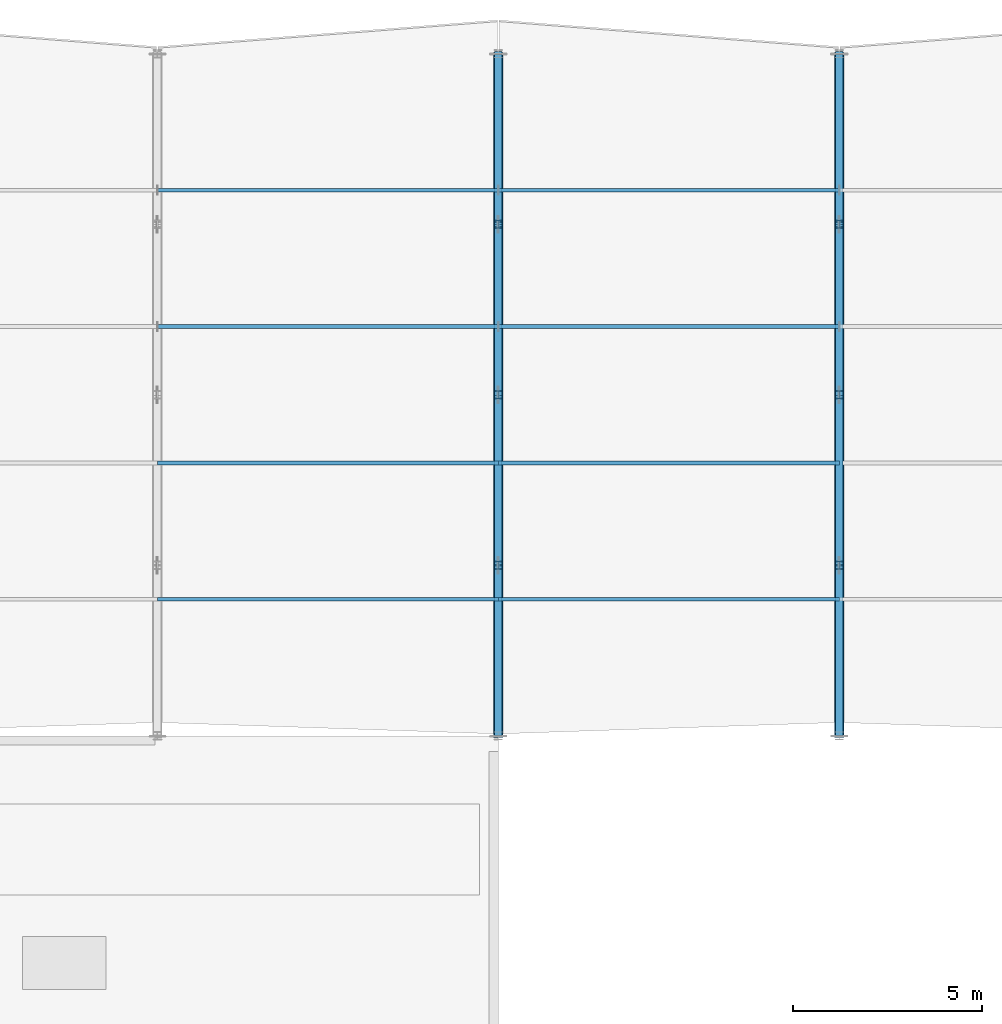
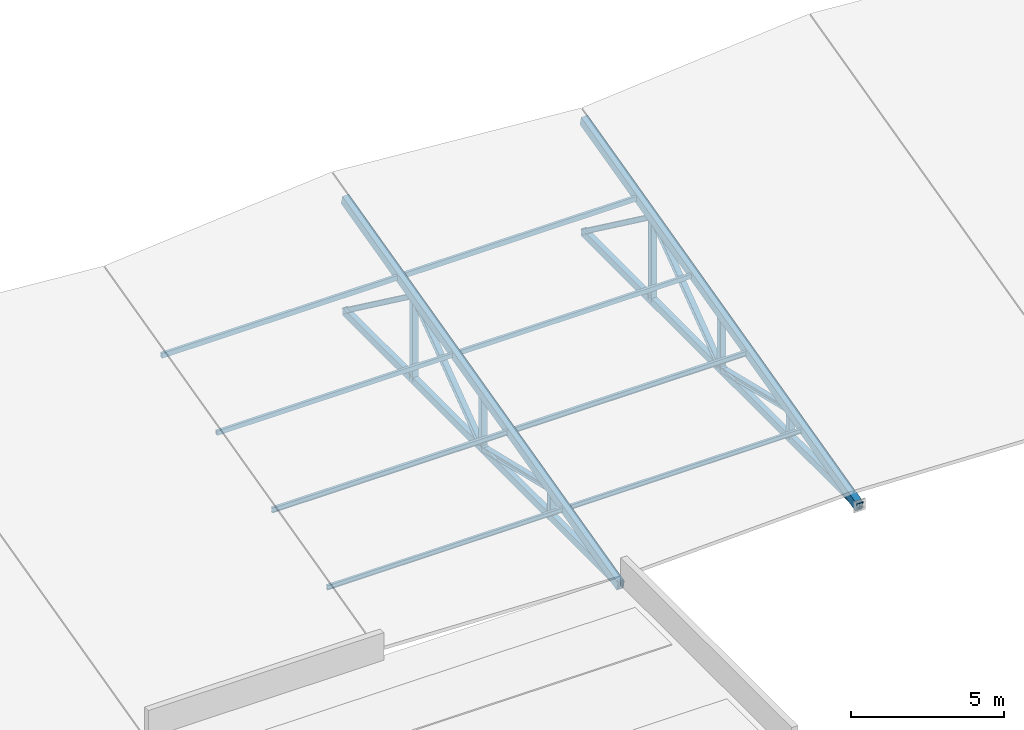
# One storey, part 9 of 36: 26 members.
"""IFC4 building model written with IfcOpenShell, lengths in metres."""

from ifc_helpers import new_model, si_unit, direction, frame, origin, origin_2d, place, context, subcontext, project, spatial, hollow_rectangle, i_section, extrude, material, material_profile, profile_set, type_object, element, save


model = new_model("IFC4")

# Units and contexts
model_context = context("Model", 3, precision=1e-05, world=origin(), true_north=direction((0.0, 1.0)))
body_context = subcontext(model_context, "Body", "Model", "MODEL_VIEW")
ifc_project = project(units=[si_unit("LENGTHUNIT", "METRE"), si_unit("AREAUNIT", "SQUARE_METRE"), si_unit("VOLUMEUNIT", "CUBIC_METRE"), si_unit("PLANEANGLEUNIT", "RADIAN"), si_unit("MASSUNIT", "GRAM", prefix="KILO")], contexts=[model_context])

# Site, building, storey
site_placement = place(None, origin())
site = spatial("IfcSite", under=ifc_project, at=site_placement, CompositionType="ELEMENT")
building_placement = place(site_placement, origin())
building = spatial("IfcBuilding", under=site, at=building_placement, Name="Montelvaro Courts of Justice", CompositionType="ELEMENT")
storey_placement = place(building_placement, frame((0.0, 0.0, 23.39990234375)))
storey = spatial("IfcBuildingStorey", under=building, at=storey_placement, Name="L05", CompositionType="ELEMENT", Elevation=23.39990234375)

# Members
ifc_material = material(Name="Steel S355", Category="steel")
ifc_material_profile_1 = material_profile(ifc_material, i_section(OverallWidth=0.199951171875, OverallDepth=0.18994140625, WebThickness=0.006591796875, FlangeThickness=0.010009765625, at=origin_2d()), Name="HEA 200")
ifc_profile_set_1 = profile_set([ifc_material_profile_1], Name="Steel S355")
member_type_1 = type_object("IfcMemberType", Name="Mem_HEA200_Brace", PredefinedType="BRACE", material=ifc_profile_set_1)
for number, where, z_axis, x_axis, name in (
    (1, (135.0, 78.0, -0.2998046875), (0.0, 0.97263439265, 0.232340995597), (-1.0, 0.0, 0.0), "Roof Truss Web MB-02 ROOF-V2-VTR05-W1"),
    (2, (135.0, 82.5, 0.775146484375), (0.0, 0.97263439265, -0.232340995597), (-1.0, 0.0, 0.0), "Roof Truss Web MB-02 ROOF-V2-VTR05-W2"),
):
    element("IfcMember", number, at=place(storey_placement, frame(where, z_axis=z_axis, x_axis=x_axis)), inside=storey, type_object=member_type_1, Name=name, PredefinedType="BRACE", context=body_context, shape_type="SweptSolid", body=[
        extrude(i_section(OverallWidth=0.199951171875, OverallDepth=0.18994140625, WebThickness=0.006591796875, FlangeThickness=0.010009765625, at=origin_2d()), origin(), (0.0, 0.0, 1.0), 4.626708984375),
    ])
for number, where, z_axis, x_axis, name in (
    (3, (135.0, 87.0, -0.2998046875), (0.0, 0.804273161752, 0.594259775928), (-1.0, 0.0, 0.0), "Roof Truss Web MB-02 ROOF-V2-VTR05-W3"),
    (4, (135.0, 91.5, 3.025146484375), (0.0, 0.804273161752, -0.594259775928), (-1.0, 0.0, 0.0), "Roof Truss Web MB-02 ROOF-V2-VTR05-W4"),
):
    element("IfcMember", number, at=place(storey_placement, frame(where, z_axis=z_axis, x_axis=x_axis)), inside=storey, type_object=member_type_1, Name=name, PredefinedType="BRACE", context=body_context, shape_type="SweptSolid", body=[
        extrude(i_section(OverallWidth=0.199951171875, OverallDepth=0.18994140625, WebThickness=0.006591796875, FlangeThickness=0.010009765625, at=origin_2d()), origin(), (0.0, 0.0, 1.0), 5.59521484375),
    ])
for number, where, z_axis, x_axis, name in (
    (5, (144.0, 78.0, -0.2998046875), (0.0, 0.97263439265, 0.232340995597), (-1.0, 0.0, 0.0), "Roof Truss Web MB-02 ROOF-V2-VTR06-W1"),
    (6, (144.0, 82.5, 0.775146484375), (0.0, 0.97263439265, -0.232340995597), (-1.0, 0.0, 0.0), "Roof Truss Web MB-02 ROOF-V2-VTR06-W2"),
):
    element("IfcMember", number, at=place(storey_placement, frame(where, z_axis=z_axis, x_axis=x_axis)), inside=storey, type_object=member_type_1, Name=name, PredefinedType="BRACE", context=body_context, shape_type="SweptSolid", body=[
        extrude(i_section(OverallWidth=0.199951171875, OverallDepth=0.18994140625, WebThickness=0.006591796875, FlangeThickness=0.010009765625, at=origin_2d()), origin(), (0.0, 0.0, 1.0), 4.626708984375),
    ])
for number, where, z_axis, x_axis, name in (
    (7, (144.0, 87.0, -0.2998046875), (0.0, 0.804273161752, 0.594259775928), (-1.0, 0.0, 0.0), "Roof Truss Web MB-02 ROOF-V2-VTR06-W3"),
    (8, (144.0, 91.5, 3.025146484375), (0.0, 0.804273161752, -0.594259775928), (-1.0, 0.0, 0.0), "Roof Truss Web MB-02 ROOF-V2-VTR06-W4"),
):
    element("IfcMember", number, at=place(storey_placement, frame(where, z_axis=z_axis, x_axis=x_axis)), inside=storey, type_object=member_type_1, Name=name, PredefinedType="BRACE", context=body_context, shape_type="SweptSolid", body=[
        extrude(i_section(OverallWidth=0.199951171875, OverallDepth=0.18994140625, WebThickness=0.006591796875, FlangeThickness=0.010009765625, at=origin_2d()), origin(), (0.0, 0.0, 1.0), 5.59521484375),
    ])
ifc_material_profile_2 = material_profile(ifc_material, i_section(OverallWidth=0.219970703125, OverallDepth=0.2099609375, WebThickness=0.007080078125, FlangeThickness=0.010986328125, at=origin_2d()), Name="HEA 220")
ifc_profile_set_2 = profile_set([ifc_material_profile_2], Name="Steel S355")
member_type_2 = type_object("IfcMemberType", Name="Mem_HEA220_Post", PredefinedType="POST", material=ifc_profile_set_2)
member_1_placement = place(storey_placement, frame((135.0, 82.5, -0.2998046875), z_axis=(0.0, 0.0, 1.0), x_axis=(1.0, 0.0, 0.0)))
element("IfcMember", 9, at=member_1_placement, inside=storey, type_object=member_type_2, Name="Roof Truss Post MP-03 ROOF-V2-VTR05-V1", PredefinedType="POST", context=body_context, shape_type="SweptSolid", body=[
    extrude(i_section(OverallWidth=0.219970703125, OverallDepth=0.2099609375, WebThickness=0.007080078125, FlangeThickness=0.010986328125, at=origin_2d()), origin(), (0.0, 0.0, 1.0), 1.074951171875),
])
member_2_placement = place(storey_placement, frame((135.0, 87.0, -0.2998046875), z_axis=(0.0, 0.0, 1.0), x_axis=(1.0, 0.0, 0.0)))
element("IfcMember", 10, at=member_2_placement, inside=storey, type_object=member_type_2, Name="Roof Truss Post MP-03 ROOF-V2-VTR05-V2", PredefinedType="POST", context=body_context, shape_type="SweptSolid", body=[
    extrude(i_section(OverallWidth=0.219970703125, OverallDepth=0.2099609375, WebThickness=0.007080078125, FlangeThickness=0.010986328125, at=origin_2d()), origin(), (0.0, 0.0, 1.0), 2.199951171875),
])
member_3_placement = place(storey_placement, frame((135.0, 91.5, -0.2998046875), z_axis=(0.0, 0.0, 1.0), x_axis=(1.0, 0.0, 0.0)))
element("IfcMember", 11, at=member_3_placement, inside=storey, type_object=member_type_2, Name="Roof Truss Post MP-03 ROOF-V2-VTR05-V3", PredefinedType="POST", context=body_context, shape_type="SweptSolid", body=[
    extrude(i_section(OverallWidth=0.219970703125, OverallDepth=0.2099609375, WebThickness=0.007080078125, FlangeThickness=0.010986328125, at=origin_2d()), origin(), (0.0, 0.0, 1.0), 3.324951171875),
])
member_4_placement = place(storey_placement, frame((144.0, 82.5, -0.2998046875), z_axis=(0.0, 0.0, 1.0), x_axis=(1.0, 0.0, 0.0)))
element("IfcMember", 12, at=member_4_placement, inside=storey, type_object=member_type_2, Name="Roof Truss Post MP-03 ROOF-V2-VTR06-V1", PredefinedType="POST", context=body_context, shape_type="SweptSolid", body=[
    extrude(i_section(OverallWidth=0.219970703125, OverallDepth=0.2099609375, WebThickness=0.007080078125, FlangeThickness=0.010986328125, at=origin_2d()), origin(), (0.0, 0.0, 1.0), 1.074951171875),
])
member_5_placement = place(storey_placement, frame((144.0, 87.0, -0.2998046875), z_axis=(0.0, 0.0, 1.0), x_axis=(1.0, 0.0, 0.0)))
element("IfcMember", 13, at=member_5_placement, inside=storey, type_object=member_type_2, Name="Roof Truss Post MP-03 ROOF-V2-VTR06-V2", PredefinedType="POST", context=body_context, shape_type="SweptSolid", body=[
    extrude(i_section(OverallWidth=0.219970703125, OverallDepth=0.2099609375, WebThickness=0.007080078125, FlangeThickness=0.010986328125, at=origin_2d()), origin(), (0.0, 0.0, 1.0), 2.199951171875),
])
member_6_placement = place(storey_placement, frame((144.0, 91.5, -0.2998046875), z_axis=(0.0, 0.0, 1.0), x_axis=(1.0, 0.0, 0.0)))
element("IfcMember", 14, at=member_6_placement, inside=storey, type_object=member_type_2, Name="Roof Truss Post MP-03 ROOF-V2-VTR06-V3", PredefinedType="POST", context=body_context, shape_type="SweptSolid", body=[
    extrude(i_section(OverallWidth=0.219970703125, OverallDepth=0.2099609375, WebThickness=0.007080078125, FlangeThickness=0.010986328125, at=origin_2d()), origin(), (0.0, 0.0, 1.0), 3.324951171875),
])
ifc_material_profile_3 = material_profile(ifc_material, i_section(OverallWidth=0.091064453125, OverallDepth=0.179931640625, WebThickness=0.00537109375, FlangeThickness=0.008056640625, at=origin_2d()), Name="IPE 180")
ifc_profile_set_3 = profile_set([ifc_material_profile_3], Name="Steel S355")
member_type_3 = type_object("IfcMemberType", Name="Mem_IPE180_Purlin", PredefinedType="PURLIN", material=ifc_profile_set_3)
for number, where, z_axis, x_axis, name in (
    (15, (126.0, 81.60009765625, 0.550048828125), (1.0, 0.0, 0.0), (0.0, 1.0, 0.0), "Roof Purlin MR-01 ROOF-V2-PRL-04-1M"),
    (16, (135.0, 81.60009765625, 0.550048828125), (1.0, 0.0, 0.0), (0.0, 1.0, 0.0), "Roof Purlin MR-01 ROOF-V2-PRL-05-1M"),
):
    element("IfcMember", number, at=place(storey_placement, frame(where, z_axis=z_axis, x_axis=x_axis)), inside=storey, type_object=member_type_3, Name=name, PredefinedType="PURLIN", context=body_context, shape_type="SweptSolid", body=[
        extrude(i_section(OverallWidth=0.091064453125, OverallDepth=0.179931640625, WebThickness=0.00537109375, FlangeThickness=0.008056640625, at=origin_2d()), origin(), (0.0, 0.0, 1.0), 9.0),
    ])
ifc_material_profile_4 = material_profile(ifc_material, i_section(OverallWidth=0.10009765625, OverallDepth=0.199951171875, WebThickness=0.005615234375, FlangeThickness=0.008544921875, at=origin_2d()), Name="IPE 200")
ifc_profile_set_4 = profile_set([ifc_material_profile_4], Name="Steel S355")
member_type_4 = type_object("IfcMemberType", Name="Mem_IPE200_Purlin", PredefinedType="PURLIN", material=ifc_profile_set_4)
for number, where, z_axis, x_axis, name in (
    (17, (126.0, 85.199951171875, 1.4501953125), (1.0, 0.0, 0.0), (0.0, 1.0, 0.0), "Roof Purlin MR-02 ROOF-V2-PRL-04-2M"),
    (18, (135.0, 85.199951171875, 1.4501953125), (1.0, 0.0, 0.0), (0.0, 1.0, 0.0), "Roof Purlin MR-02 ROOF-V2-PRL-05-2M"),
):
    element("IfcMember", number, at=place(storey_placement, frame(where, z_axis=z_axis, x_axis=x_axis)), inside=storey, type_object=member_type_4, Name=name, PredefinedType="PURLIN", context=body_context, shape_type="SweptSolid", body=[
        extrude(i_section(OverallWidth=0.10009765625, OverallDepth=0.199951171875, WebThickness=0.005615234375, FlangeThickness=0.008544921875, at=origin_2d()), origin(), (0.0, 0.0, 1.0), 9.0),
    ])
ifc_material_profile_5 = material_profile(ifc_material, hollow_rectangle(XDim=0.10009765625, YDim=0.179931640625, WallThickness=0.008056640625, at=origin_2d()), Name="RHS 180x100x8")
ifc_profile_set_5 = profile_set([ifc_material_profile_5], Name="Steel S355")
member_type_5 = type_object("IfcMemberType", Name="Mem_RHS180_Purlin", PredefinedType="PURLIN", material=ifc_profile_set_5)
for number, where, z_axis, x_axis, name in (
    (19, (126.0, 88.800048828125, 2.35009765625), (1.0, 0.0, 0.0), (0.0, 1.0, 0.0), "Roof Purlin MR-03 ROOF-V2-PRL-04-3M"),
    (20, (135.0, 88.800048828125, 2.35009765625), (1.0, 0.0, 0.0), (0.0, 1.0, 0.0), "Roof Purlin MR-03 ROOF-V2-PRL-05-3M"),
):
    element("IfcMember", number, at=place(storey_placement, frame(where, z_axis=z_axis, x_axis=x_axis)), inside=storey, type_object=member_type_5, Name=name, PredefinedType="PURLIN", context=body_context, shape_type="SweptSolid", body=[
        extrude(hollow_rectangle(XDim=0.10009765625, YDim=0.179931640625, WallThickness=0.008056640625, at=origin_2d()), origin(), (0.0, 0.0, 1.0), 9.0),
    ])
ifc_material_profile_6 = material_profile(ifc_material, hollow_rectangle(XDim=0.10009765625, YDim=0.199951171875, WallThickness=0.008056640625, at=origin_2d()), Name="RHS 200x100x8")
ifc_profile_set_6 = profile_set([ifc_material_profile_6], Name="Steel S355")
member_type_6 = type_object("IfcMemberType", Name="Mem_RHS200_Purlin", PredefinedType="PURLIN", material=ifc_profile_set_6)
for number, where, z_axis, x_axis, name in (
    (21, (126.0, 92.39990234375, 3.25), (1.0, 0.0, 0.0), (0.0, 1.0, 0.0), "Roof Purlin MR-04 ROOF-V2-PRL-04-4M"),
    (22, (135.0, 92.39990234375, 3.25), (1.0, 0.0, 0.0), (0.0, 1.0, 0.0), "Roof Purlin MR-04 ROOF-V2-PRL-05-4M"),
):
    element("IfcMember", number, at=place(storey_placement, frame(where, z_axis=z_axis, x_axis=x_axis)), inside=storey, type_object=member_type_6, Name=name, PredefinedType="PURLIN", context=body_context, shape_type="SweptSolid", body=[
        extrude(hollow_rectangle(XDim=0.10009765625, YDim=0.199951171875, WallThickness=0.008056640625, at=origin_2d()), origin(), (0.0, 0.0, 1.0), 9.0),
    ])
ifc_material_profile_7 = material_profile(ifc_material, hollow_rectangle(XDim=0.199951171875, YDim=0.300048828125, WallThickness=0.012451171875, at=origin_2d()), Name="RHS 300x200x12.5")
ifc_profile_set_7 = profile_set([ifc_material_profile_7], Name="Steel S355")
member_type_7 = type_object("IfcMemberType", Name="Mem_RHS300_Chord", PredefinedType="CHORD", material=ifc_profile_set_7)
for number, where, z_axis, x_axis, name in (
    (23, (135.0, 78.0, -0.2998046875), (0.0, 1.0, 0.0), (-1.0, 0.0, 0.0), "Roof Truss ROOF-V2-VTR05 Bottom Chord"),
    (24, (144.0, 78.0, -0.2998046875), (0.0, 1.0, 0.0), (-1.0, 0.0, 0.0), "Roof Truss ROOF-V2-VTR06 Bottom Chord"),
):
    element("IfcMember", number, at=place(storey_placement, frame(where, z_axis=z_axis, x_axis=x_axis)), inside=storey, type_object=member_type_7, Name=name, PredefinedType="CHORD", context=body_context, shape_type="SweptSolid", body=[
        extrude(hollow_rectangle(XDim=0.199951171875, YDim=0.300048828125, WallThickness=0.012451171875, at=origin_2d()), origin(), (0.0, 0.0, 1.0), 18.0),
    ])
ifc_material_profile_8 = material_profile(ifc_material, hollow_rectangle(XDim=0.25, YDim=0.35009765625, WallThickness=0.012451171875, at=origin_2d()), Name="RHS 350x250x12.5")
ifc_profile_set_8 = profile_set([ifc_material_profile_8], Name="Steel S355")
member_type_8 = type_object("IfcMemberType", Name="Mem_RHS350_Chord", PredefinedType="CHORD", material=ifc_profile_set_8)
for number, where, z_axis, x_axis, name in (
    (25, (135.0, 78.0, -0.349853515625), (0.0, 0.970142500145, 0.242535625036), (-1.0, 0.0, 0.0), "Roof Truss ROOF-V2-VTR05 Top Chord"),
    (26, (144.0, 78.0, -0.349853515625), (0.0, 0.970142500145, 0.242535625036), (-1.0, 0.0, 0.0), "Roof Truss ROOF-V2-VTR06 Top Chord"),
):
    element("IfcMember", number, at=place(storey_placement, frame(where, z_axis=z_axis, x_axis=x_axis)), inside=storey, type_object=member_type_8, Name=name, PredefinedType="CHORD", context=body_context, shape_type="SweptSolid", body=[
        extrude(hollow_rectangle(XDim=0.25, YDim=0.35009765625, WallThickness=0.012451171875, at=origin_2d()), origin(), (0.0, 0.0, 1.0), 18.553955078125),
    ])

save(model, "model.ifc")
